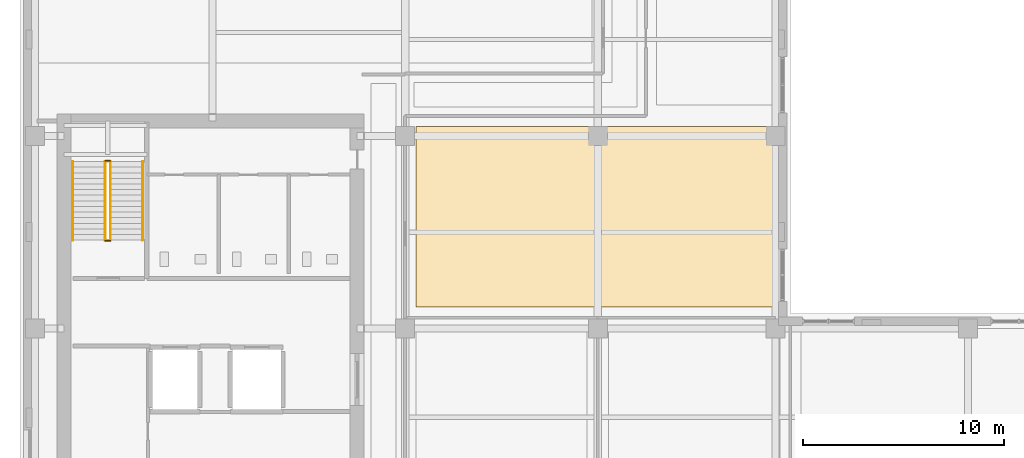
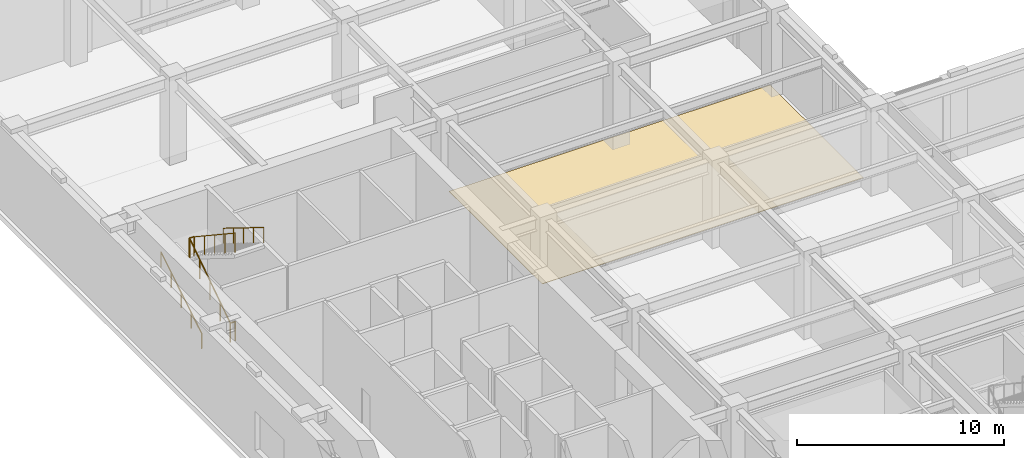
# One storey, part 16 of 18: 6 railings, 1 covering.
"""IFC4 building model written with IfcOpenShell, lengths in metres."""

from ifc_helpers import new_model, si_unit, direction, frame, origin, origin_2d, place, context, subcontext, project, spatial, polyline, circle, outline, extrude, material, layer, layer_set, type_object, element, save


model = new_model("IFC4")

# Units and contexts
model_context = context("Model", 3, precision=1e-05, world=origin(), true_north=direction((0.0, 1.0)))
body_context = subcontext(model_context, "Body", "Model", "MODEL_VIEW")
ifc_project = project(units=[si_unit("LENGTHUNIT", "METRE"), si_unit("AREAUNIT", "SQUARE_METRE"), si_unit("VOLUMEUNIT", "CUBIC_METRE"), si_unit("PLANEANGLEUNIT", "RADIAN"), si_unit("MASSUNIT", "GRAM", prefix="KILO")], contexts=[model_context])

# Site, building, storey
site_placement = place(None, origin())
site = spatial("IfcSite", under=ifc_project, at=site_placement, CompositionType="ELEMENT")
building_placement = place(site_placement, origin())
building = spatial("IfcBuilding", under=site, at=building_placement, Name="Norrvale University Quadrangle", CompositionType="ELEMENT")
storey_placement = place(building_placement, frame((0.0, 0.0, 150.800048828125)))
storey = spatial("IfcBuildingStorey", under=building, at=storey_placement, Name="L38", CompositionType="ELEMENT", Elevation=150.800048828125)

# Covering
ifc_material_1 = material(Name="Polished Terrazzo Flooring")
ifc_layer = layer(ifc_material_1, 0.02490234375, Name="Polished Terrazzo Flooring")
ifc_layer_set = layer_set([ifc_layer], Name="Polished Terrazzo Flooring")
covering_type = type_object("IfcCoveringType", Name="Covering Terrazzo Floor 30", PredefinedType="FLOORING", material=ifc_layer_set)
covering_placement = place(storey_placement, origin())
element("IfcCovering", 1, at=covering_placement, inside=storey, type_object=covering_type, Name="Terrazzo Flooring RM-L38-MNE01", PredefinedType="FLOORING", context=body_context, shape_type="SweptSolid", body=[
    extrude(outline(polyline([(19.72998046875, 47.719970703125), (37.64990234375, 47.719970703125), (37.64990234375, 38.7099609375), (19.72998046875, 38.7099609375), (19.72998046875, 47.719970703125)])), origin(), (0.0, 0.0, 1.0), 0.02490234375),
])

# Railings
ifc_material_2 = material(Name="Steel 350W Painted Balustrade", Category="steel")
railing_type_1 = type_object("IfcRailingType", Name="Railing Stair Guard 1100", PredefinedType="GUARDRAIL", material=ifc_material_2)
for number, where, name in (
    (2, (4.239990234375, 42.02001953125, 0.0), "Stair Floor Well Guard ST-02 L38"),
    (3, (4.239990234375, 46.0, 2.599853515625), "Stair Mid-Landing Slot Guard ST-02 L38"),
):
    element("IfcRailing", number, at=place(storey_placement, frame(where)), inside=storey, type_object=railing_type_1, Name=name, PredefinedType="GUARDRAIL", context=body_context, shape_type="SweptSolid", body=[
        extrude(circle(Radius=0.02392578125, at=origin_2d()), frame((0.0, 0.0, 1.1259765625), z_axis=(1.0, 0.0, 0.0), x_axis=(0.0, 1.0, 0.0)), (0.0, 0.0, 1.0), 0.27001953125),
        extrude(circle(Radius=0.02099609375, at=origin_2d()), origin(), (0.0, 0.0, 1.0), 1.101806640625),
        extrude(circle(Radius=0.02099609375, at=origin_2d()), frame((0.27001953125, 0.0, 0.0)), (0.0, 0.0, 1.0), 1.101806640625),
    ])
railing_1_placement = place(storey_placement, frame((4.239990234375, 42.050048828125, 0.0)))
element("IfcRailing", 4, at=railing_1_placement, inside=storey, type_object=railing_type_1, Name="Stair Lower Flight Inner Guard ST-02 L38", PredefinedType="GUARDRAIL", context=body_context, shape_type="SweptSolid", body=[
    extrude(circle(Radius=0.02392578125, at=origin_2d()), frame((0.0, 0.0, 1.1259765625), z_axis=(0.0, 0.833365502166, 0.552722298989), x_axis=(-1.0, 0.0, 0.0)), (0.0, 0.0, 1.0), 4.70361328125),
    extrude(circle(Radius=0.02099609375, at=origin_2d()), origin(), (0.0, 0.0, 1.0), 1.101806640625),
    extrude(circle(Radius=0.02099609375, at=origin_2d()), frame((0.0, 0.97998046875, 0.64990234375)), (0.0, 0.0, 1.0), 1.101806640625),
    extrude(circle(Radius=0.02099609375, at=origin_2d()), frame((0.0, 1.9599609375, 1.2998046875)), (0.0, 0.0, 1.0), 1.101806640625),
    extrude(circle(Radius=0.02099609375, at=origin_2d()), frame((0.0, 2.93994140625, 1.949951171875)), (0.0, 0.0, 1.0), 1.101806640625),
    extrude(circle(Radius=0.02099609375, at=origin_2d()), frame((0.0, 3.919921875, 2.599853515625)), (0.0, 0.0, 1.0), 1.101806640625),
])
railing_2_placement = place(storey_placement, frame((4.510009765625, 45.969970703125, 2.599853515625)))
element("IfcRailing", 5, at=railing_2_placement, inside=storey, type_object=railing_type_1, Name="Stair Upper Flight Inner Guard ST-02 L38", PredefinedType="GUARDRAIL", context=body_context, shape_type="SweptSolid", body=[
    extrude(circle(Radius=0.02392578125, at=origin_2d()), frame((0.0, 0.0, 1.1259765625), z_axis=(0.0, -0.833341594215, 0.552758344444), x_axis=(1.0, 0.0, 0.0)), (0.0, 0.0, 1.0), 4.703857421875),
    extrude(circle(Radius=0.02099609375, at=origin_2d()), origin(), (0.0, 0.0, 1.0), 1.101806640625),
    extrude(circle(Radius=0.02099609375, at=origin_2d()), frame((0.0, -0.97998046875, 0.64990234375)), (0.0, 0.0, 1.0), 1.101806640625),
    extrude(circle(Radius=0.02099609375, at=origin_2d()), frame((0.0, -1.9599609375, 1.300048828125)), (0.0, 0.0, 1.0), 1.101806640625),
    extrude(circle(Radius=0.02099609375, at=origin_2d()), frame((0.0, -2.93994140625, 1.9501953125)), (0.0, 0.0, 1.0), 1.101806640625),
    extrude(circle(Radius=0.02099609375, at=origin_2d()), frame((0.0, -3.919921875, 2.60009765625)), (0.0, 0.0, 1.0), 1.101806640625),
])
ifc_material_3 = material(Name="Stainless Steel 316L Handrail", Category="steel")
railing_type_2 = type_object("IfcRailingType", Name="Railing Stair Handrail 920", PredefinedType="HANDRAIL", material=ifc_material_3)
railing_3_placement = place(storey_placement, frame((2.639892578125, 42.050048828125, 0.17333984375)))
element("IfcRailing", 6, at=railing_3_placement, inside=storey, type_object=railing_type_2, Name="Stair Lower Flight Handrail ST-02 L38", PredefinedType="HANDRAIL", context=body_context, shape_type="SweptSolid", body=[
    extrude(circle(Radius=0.02392578125, at=origin_2d()), frame((0.0, 0.0, 0.89599609375), z_axis=(0.0, 0.850275303828, 0.526338206574), x_axis=(-1.0, 0.0, 0.0)), (0.0, 0.0, 1.0), 4.610107421875),
    extrude(circle(Radius=0.02099609375, at=origin_2d()), origin(), (0.0, 0.0, 1.0), 0.871826171875),
    extrude(circle(Radius=0.02099609375, at=origin_2d()), frame((0.0, 0.97998046875, 0.606689453125)), (0.0, 0.0, 1.0), 0.871826171875),
    extrude(circle(Radius=0.02099609375, at=origin_2d()), frame((0.0, 1.9599609375, 1.21337890625)), (0.0, 0.0, 1.0), 0.871826171875),
    extrude(circle(Radius=0.02099609375, at=origin_2d()), frame((0.0, 2.93994140625, 1.81982421875)), (0.0, 0.0, 1.0), 0.871826171875),
    extrude(circle(Radius=0.02099609375, at=origin_2d()), frame((0.0, 3.919921875, 2.426513671875)), (0.0, 0.0, 1.0), 0.871826171875),
])
railing_4_placement = place(storey_placement, frame((6.110107421875, 45.969970703125, 2.773193359375)))
element("IfcRailing", 7, at=railing_4_placement, inside=storey, type_object=railing_type_2, Name="Stair Upper Flight Handrail ST-02 L38", PredefinedType="HANDRAIL", context=body_context, shape_type="SweptSolid", body=[
    extrude(circle(Radius=0.02392578125, at=origin_2d()), frame((0.0, 0.0, 0.89599609375), z_axis=(0.0, -0.850251603719, 0.526376491091), x_axis=(1.0, 0.0, 0.0)), (0.0, 0.0, 1.0), 4.6103515625),
    extrude(circle(Radius=0.02099609375, at=origin_2d()), origin(), (0.0, 0.0, 1.0), 0.871826171875),
    extrude(circle(Radius=0.02099609375, at=origin_2d()), frame((0.0, -0.97998046875, 0.606689453125)), (0.0, 0.0, 1.0), 0.871826171875),
    extrude(circle(Radius=0.02099609375, at=origin_2d()), frame((0.0, -1.9599609375, 1.21337890625)), (0.0, 0.0, 1.0), 0.871826171875),
    extrude(circle(Radius=0.02099609375, at=origin_2d()), frame((0.0, -2.93994140625, 1.820068359375)), (0.0, 0.0, 1.0), 0.871826171875),
    extrude(circle(Radius=0.02099609375, at=origin_2d()), frame((0.0, -3.919921875, 2.4267578125)), (0.0, 0.0, 1.0), 0.871826171875),
])

save(model, "model.ifc")
